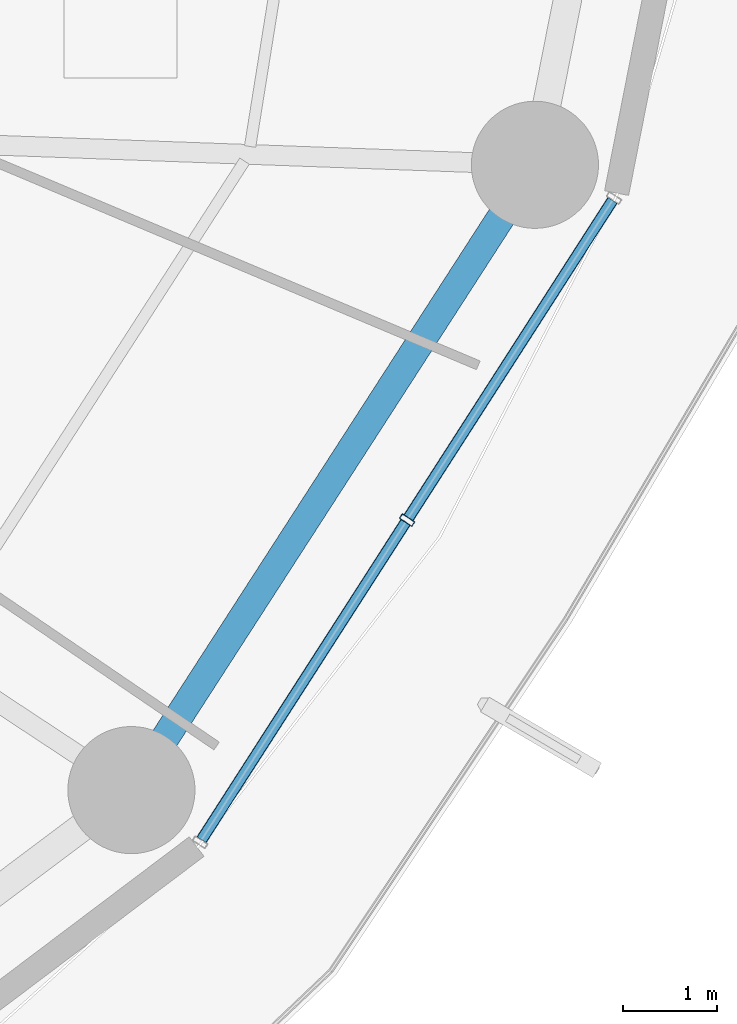
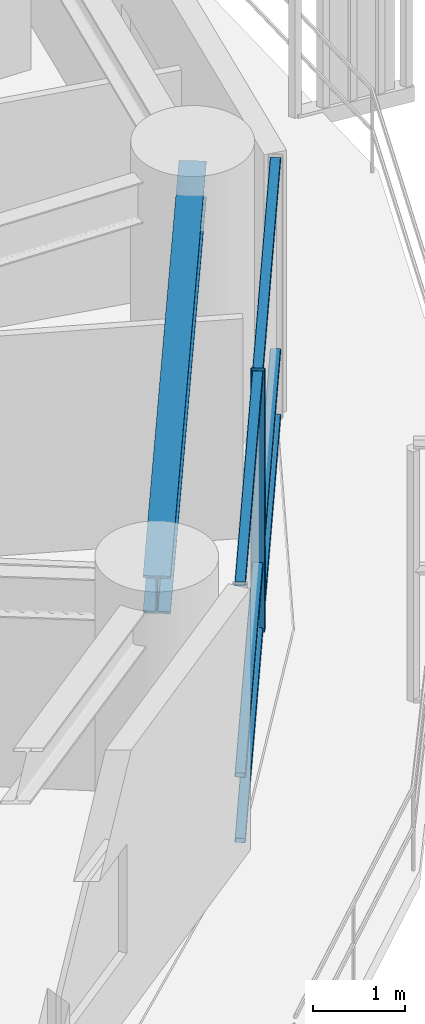
# One storey, part 11 of 33: 7 members, 1 beam, 1 element without a shape of its own.
"""IFC4 building model written with IfcOpenShell, lengths in metres."""

from ifc_helpers import new_model, si_unit, direction, frame, origin, origin_2d, place, context, subcontext, project, spatial, hollow_rectangle, i_section, extrude, material, layer, layer_set, material_profile, profile_set, type_object, element, aggregate, save


model = new_model("IFC4")

# Units and contexts
model_context = context("Model", 3, precision=1e-05, world=origin(), true_north=direction((0.0, 1.0)))
body_context = subcontext(model_context, "Body", "Model", "MODEL_VIEW")
ifc_project = project(units=[si_unit("LENGTHUNIT", "METRE"), si_unit("AREAUNIT", "SQUARE_METRE"), si_unit("VOLUMEUNIT", "CUBIC_METRE"), si_unit("PLANEANGLEUNIT", "RADIAN"), si_unit("MASSUNIT", "GRAM", prefix="KILO")], contexts=[model_context])

# Site, building, storey
site_placement = place(None, origin())
site = spatial("IfcSite", under=ifc_project, at=site_placement, CompositionType="ELEMENT")
building_placement = place(site_placement, origin())
building = spatial("IfcBuilding", under=site, at=building_placement, Name="Kelanora Arch Commons", CompositionType="ELEMENT")
storey_placement = place(building_placement, frame((0.0, 0.0, 83.85009765625)))
storey = spatial("IfcBuildingStorey", under=building, at=storey_placement, Name="L21", CompositionType="ELEMENT", Elevation=83.85009765625)

# Beam
ifc_material_1 = material(Name="Steel S355", Category="steel")
ifc_material_profile_1 = material_profile(ifc_material_1, i_section(OverallWidth=0.300048828125, OverallDepth=0.5, WebThickness=0.014404296875, FlangeThickness=0.028076171875, FilletRadius=0.027099609375, at=origin_2d()), Name="HEB500")
ifc_profile_set_1 = profile_set([ifc_material_profile_1], Name="Steel S355")
beam_type = type_object("IfcBeamType", Name="BM-SPN-Z2", PredefinedType="SPANDREL", material=ifc_profile_set_1)
beam_placement = place(storey_placement, frame((92.906005859375, 43.80712890625, 3.239990234375), z_axis=(0.542221144054, 0.840235818649, 0.0), x_axis=(-0.840235818649, 0.542221144054, 0.0)))
element("IfcBeam", 1, at=beam_placement, inside=storey, type_object=beam_type, Name="Perimeter Spandrel Beam BS-32 L21", PredefinedType="SPANDREL", context=body_context, shape_type="SweptSolid", body=[
    extrude(i_section(OverallWidth=0.300048828125, OverallDepth=0.5, WebThickness=0.014404296875, FlangeThickness=0.028076171875, FilletRadius=0.027099609375, at=origin_2d()), origin(), (0.0, 0.0, 1.0), 7.90380859375),
])

# Curtain wall, members
ifc_material_2 = material(Name="Terracotta ceramic-fritted low-E glass and aluminium", Category="masonry")
ifc_layer = layer(ifc_material_2, 0.159912109375)
ifc_layer_set = layer_set([ifc_layer], Name="Terracotta ceramic-fritted low-E glass and aluminium")
curtain_wall_type = type_object("IfcCurtainWallType", Name="CW-SYS-01", PredefinedType="NOTDEFINED", material=ifc_layer_set)
curtain_wall_placement = place(storey_placement, origin())
curtain_wall = element("IfcCurtainWall", 2, at=curtain_wall_placement, inside=storey, type_object=curtain_wall_type, Name="Unitised Curtain Wall L21-B16", PredefinedType="NOTDEFINED")
ifc_material_3 = material(Name="Powder-coated aluminium terracotta", Category="masonry")
ifc_material_profile_2 = material_profile(ifc_material_3, hollow_rectangle(XDim=0.159912109375, YDim=0.06005859375, WallThickness=0.0048828125, InnerFilletRadius=0.0048828125, OuterFilletRadius=0.010009765625, at=origin_2d()), Name="CWM160x60")
ifc_profile_set_2 = profile_set([ifc_material_profile_2], Name="Powder-coated aluminium terracotta")
member_type_1 = type_object("IfcMemberType", Name="CWM-STD", PredefinedType="MULLION", material=ifc_profile_set_2)
member_1_placement = place(storey_placement, frame((95.83349609375, 46.6748046875, 0.0), z_axis=(0.0, 0.0, 1.0), x_axis=(-0.841268883088, 0.540616931244, 0.0)))
member_1 = element("IfcMember", 3, at=member_1_placement, type_object=member_type_1, Name="CW-01 mullion 2", PredefinedType="MULLION", context=body_context, shape_type="SweptSolid", body=[
    extrude(hollow_rectangle(XDim=0.159912109375, YDim=0.06005859375, WallThickness=0.0048828125, InnerFilletRadius=0.0048828125, OuterFilletRadius=0.010009765625, at=origin_2d()), origin(), (0.0, 0.0, 1.0), 3.474853515625),
])
ifc_material_profile_3 = material_profile(ifc_material_3, hollow_rectangle(XDim=0.1201171875, YDim=0.06005859375, WallThickness=0.0048828125, InnerFilletRadius=0.0048828125, OuterFilletRadius=0.010009765625, at=origin_2d()), Name="CWT120x60")
ifc_profile_set_3 = profile_set([ifc_material_profile_3], Name="Powder-coated aluminium terracotta")
member_type_2 = type_object("IfcMemberType", Name="CWT-STD", PredefinedType="USERDEFINED", material=ifc_profile_set_3)
member_2_placement = place(storey_placement, frame((93.651123046875, 43.279052734375, 0.02978515625), z_axis=(0.540643629734, 0.841251725483, 0.0), x_axis=(-0.841251725483, 0.540643629734, 0.0)))
member_2 = element("IfcMember", 4, at=member_2_placement, type_object=member_type_2, Name="CW-01 transom 1.1", ObjectType="TRANSOM", PredefinedType="USERDEFINED", context=body_context, shape_type="SweptSolid", body=[
    extrude(hollow_rectangle(XDim=0.1201171875, YDim=0.06005859375, WallThickness=0.0048828125, InnerFilletRadius=0.0048828125, OuterFilletRadius=0.010009765625, at=origin_2d()), origin(), (0.0, 0.0, 1.0), 4.00634765625),
])
member_3_placement = place(storey_placement, frame((93.651123046875, 43.279052734375, 0.89990234375), z_axis=(0.540643629734, 0.841251725483, 0.0), x_axis=(-0.841251725483, 0.540643629734, 0.0)))
member_3 = element("IfcMember", 5, at=member_3_placement, type_object=member_type_2, Name="CW-01 transom 1.2", ObjectType="TRANSOM", PredefinedType="USERDEFINED", context=body_context, shape_type="SweptSolid", body=[
    extrude(hollow_rectangle(XDim=0.1201171875, YDim=0.06005859375, WallThickness=0.0048828125, InnerFilletRadius=0.0048828125, OuterFilletRadius=0.010009765625, at=origin_2d()), origin(), (0.0, 0.0, 1.0), 4.00634765625),
])
member_4_placement = place(storey_placement, frame((93.651123046875, 43.279052734375, 3.44482421875), z_axis=(0.540643629734, 0.841251725483, 0.0), x_axis=(-0.841251725483, 0.540643629734, 0.0)))
member_4 = element("IfcMember", 6, at=member_4_placement, type_object=member_type_2, Name="CW-01 transom 1.3", ObjectType="TRANSOM", PredefinedType="USERDEFINED", context=body_context, shape_type="SweptSolid", body=[
    extrude(hollow_rectangle(XDim=0.1201171875, YDim=0.06005859375, WallThickness=0.0048828125, InnerFilletRadius=0.0048828125, OuterFilletRadius=0.010009765625, at=origin_2d()), origin(), (0.0, 0.0, 1.0), 4.00634765625),
])
member_5_placement = place(storey_placement, frame((95.849609375, 46.699951171875, 0.02978515625), z_axis=(0.540643629734, 0.841251725483, 0.0), x_axis=(-0.841251725483, 0.540643629734, 0.0)))
member_5 = element("IfcMember", 7, at=member_5_placement, type_object=member_type_2, Name="CW-01 transom 2.1", ObjectType="TRANSOM", PredefinedType="USERDEFINED", context=body_context, shape_type="SweptSolid", body=[
    extrude(hollow_rectangle(XDim=0.1201171875, YDim=0.06005859375, WallThickness=0.0048828125, InnerFilletRadius=0.0048828125, OuterFilletRadius=0.010009765625, at=origin_2d()), origin(), (0.0, 0.0, 1.0), 4.00634765625),
])
member_6_placement = place(storey_placement, frame((95.849609375, 46.699951171875, 0.89990234375), z_axis=(0.540643629734, 0.841251725483, 0.0), x_axis=(-0.841251725483, 0.540643629734, 0.0)))
member_6 = element("IfcMember", 8, at=member_6_placement, type_object=member_type_2, Name="CW-01 transom 2.2", ObjectType="TRANSOM", PredefinedType="USERDEFINED", context=body_context, shape_type="SweptSolid", body=[
    extrude(hollow_rectangle(XDim=0.1201171875, YDim=0.06005859375, WallThickness=0.0048828125, InnerFilletRadius=0.0048828125, OuterFilletRadius=0.010009765625, at=origin_2d()), origin(), (0.0, 0.0, 1.0), 4.00634765625),
])
member_7_placement = place(storey_placement, frame((95.849609375, 46.699951171875, 3.44482421875), z_axis=(0.540643629734, 0.841251725483, 0.0), x_axis=(-0.841251725483, 0.540643629734, 0.0)))
member_7 = element("IfcMember", 9, at=member_7_placement, type_object=member_type_2, Name="CW-01 transom 2.3", ObjectType="TRANSOM", PredefinedType="USERDEFINED", context=body_context, shape_type="SweptSolid", body=[
    extrude(hollow_rectangle(XDim=0.1201171875, YDim=0.06005859375, WallThickness=0.0048828125, InnerFilletRadius=0.0048828125, OuterFilletRadius=0.010009765625, at=origin_2d()), origin(), (0.0, 0.0, 1.0), 4.00634765625),
])
aggregate(curtain_wall, [member_1, member_2, member_3, member_4, member_5, member_6, member_7])

save(model, "model.ifc")
